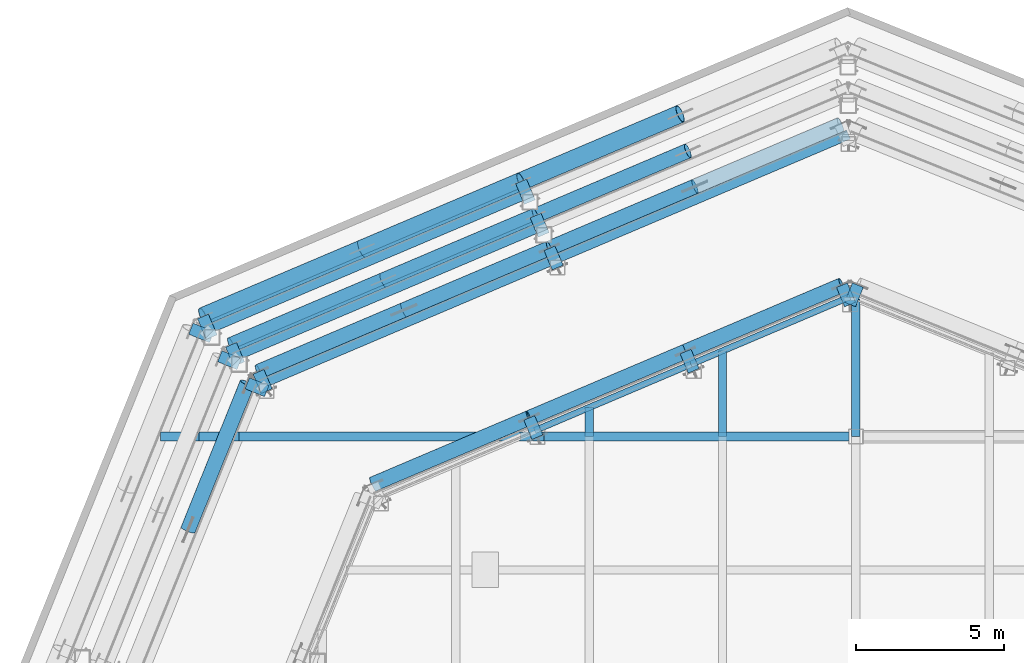
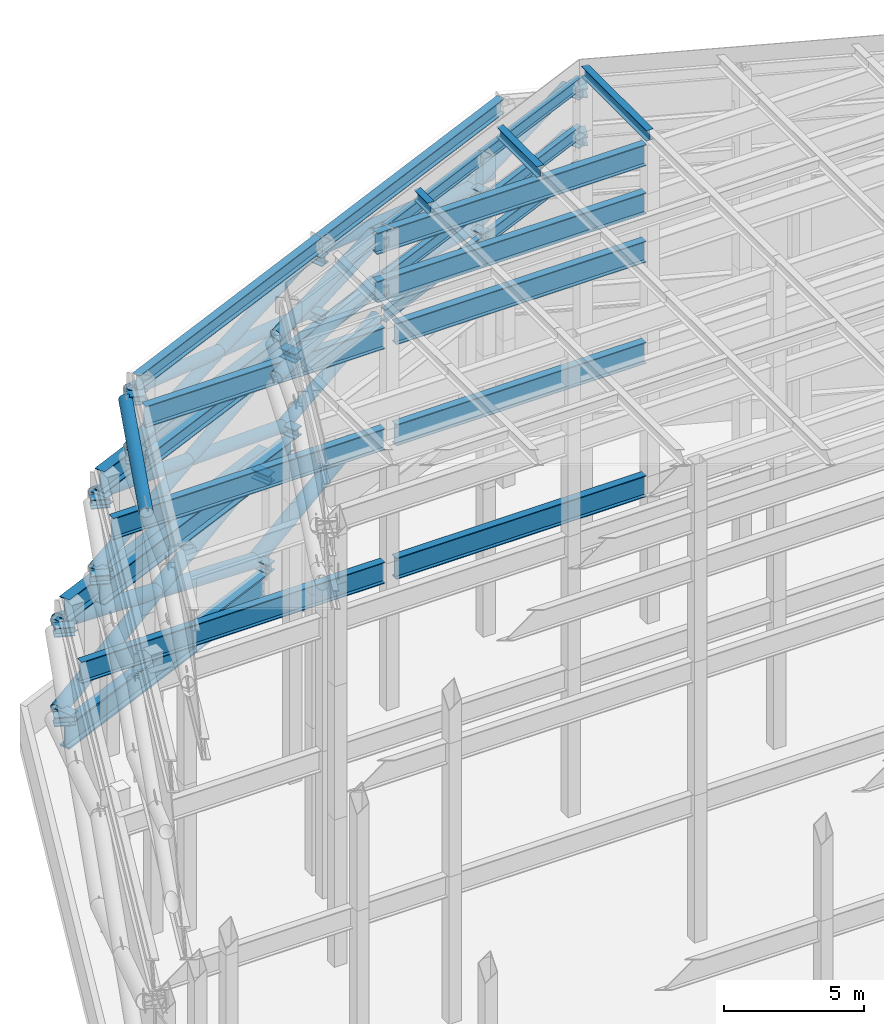
# One storey, part 10 of 19: 46 members, 25 beams.
"""IFC4 building model written with IfcOpenShell, lengths in metres."""

from ifc_helpers import new_model, si_unit, direction, frame, origin, origin_2d, place, context, subcontext, project, spatial, hollow_circle, i_section, extrude, material, material_profile, profile_set, type_object, element, save


model = new_model("IFC4")

# Units and contexts
model_context = context("Model", 3, precision=1e-05, world=origin(), true_north=direction((0.0, 1.0)))
body_context = subcontext(model_context, "Body", "Model", "MODEL_VIEW")
ifc_project = project(units=[si_unit("LENGTHUNIT", "METRE"), si_unit("AREAUNIT", "SQUARE_METRE"), si_unit("VOLUMEUNIT", "CUBIC_METRE"), si_unit("PLANEANGLEUNIT", "RADIAN"), si_unit("MASSUNIT", "GRAM", prefix="KILO")], contexts=[model_context])

# Site, building, storey
site_placement = place(None, origin())
site = spatial("IfcSite", under=ifc_project, at=site_placement, CompositionType="ELEMENT")
building_placement = place(site_placement, origin())
building = spatial("IfcBuilding", under=site, at=building_placement, Name="Orlundy Tower", CompositionType="ELEMENT")
storey_placement = place(building_placement, frame((0.0, 0.0, 304.300048828125)))
storey = spatial("IfcBuildingStorey", under=building, at=storey_placement, Name="Roof", CompositionType="ELEMENT", Elevation=304.300048828125)

# Beams
ifc_material_1 = material(Name="Steel ASTM A992 Gr 50", Category="steel")
ifc_material_profile_1 = material_profile(ifc_material_1, i_section(OverallWidth=0.2802734375, OverallDepth=0.46240234375, WebThickness=0.0107421875, FlangeThickness=0.017333984375, at=origin_2d()), Name="W18X76")
ifc_profile_set_1 = profile_set([ifc_material_profile_1], Name="Steel ASTM A992 Gr 50")
beam_type_1 = type_object("IfcBeamType", Name="CROWN FRAME beam W18X76", PredefinedType="BEAM", material=ifc_profile_set_1)
beam_1_placement = place(storey_placement, frame((-9.0, 18.0, 21.131103515625), z_axis=(0.0, 1.0, 0.0), x_axis=(-1.0, 0.0, 0.0)))
element("IfcBeam", 1, at=beam_1_placement, inside=storey, type_object=beam_type_1, Name="CROWN FRAME secondary beam 04F", PredefinedType="BEAM", context=body_context, shape_type="SweptSolid", body=[
    extrude(i_section(OverallWidth=0.2802734375, OverallDepth=0.46240234375, WebThickness=0.0107421875, FlangeThickness=0.017333984375, at=origin_2d()), origin(), (0.0, 0.0, 1.0), 0.97900390625),
])
beam_2_placement = place(storey_placement, frame((-4.5, 18.0, 21.131103515625), z_axis=(0.0, 1.0, 0.0), x_axis=(-1.0, 0.0, 0.0)))
element("IfcBeam", 2, at=beam_2_placement, inside=storey, type_object=beam_type_1, Name="CROWN FRAME secondary beam 05F", PredefinedType="BEAM", context=body_context, shape_type="SweptSolid", body=[
    extrude(i_section(OverallWidth=0.2802734375, OverallDepth=0.46240234375, WebThickness=0.0107421875, FlangeThickness=0.017333984375, at=origin_2d()), origin(), (0.0, 0.0, 1.0), 2.889404296875),
])
beam_3_placement = place(storey_placement, frame((0.0, 18.0, 21.131103515625), z_axis=(0.0, 1.0, 0.0), x_axis=(-1.0, 0.0, 0.0)))
element("IfcBeam", 3, at=beam_3_placement, inside=storey, type_object=beam_type_1, Name="CROWN FRAME secondary beam 06F", PredefinedType="BEAM", context=body_context, shape_type="SweptSolid", body=[
    extrude(i_section(OverallWidth=0.2802734375, OverallDepth=0.46240234375, WebThickness=0.0107421875, FlangeThickness=0.017333984375, at=origin_2d()), origin(), (0.0, 0.0, 1.0), 4.635009765625),
])
ifc_material_2 = material(Name="Steel ASTM A992 Gr 50", Category="steel")
ifc_material_profile_2 = material_profile(ifc_material_2, i_section(OverallWidth=0.2138671875, OverallDepth=0.549072265625, WebThickness=0.0146484375, FlangeThickness=0.023681640625, at=origin_2d()), Name="W21X93")
ifc_profile_set_2 = profile_set([ifc_material_profile_2], Name="Steel ASTM A992 Gr 50")
beam_type_2 = type_object("IfcBeamType", Name="CROWN FRAME beam W21X93", PredefinedType="BEAM", material=ifc_profile_set_2)
beam_4_placement = place(storey_placement, frame((-0.198486328125, 22.715087890625, 16.974365234375), z_axis=(-0.920508748756, -0.390721951602, 0.0), x_axis=(0.390721951602, -0.920508748756, 0.0)))
element("IfcBeam", 4, at=beam_4_placement, inside=storey, type_object=beam_type_2, Name="CROWN FRAME foot ring beam 4-04", PredefinedType="BEAM", context=body_context, shape_type="SweptSolid", body=[
    extrude(i_section(OverallWidth=0.2138671875, OverallDepth=0.549072265625, WebThickness=0.0146484375, FlangeThickness=0.023681640625, at=origin_2d()), origin(), (0.0, 0.0, 1.0), 5.82861328125),
])
beam_5_placement = place(storey_placement, frame((-5.563720703125, 20.437744140625, 16.974365234375), z_axis=(-0.920499581139, -0.390743549049, 0.0), x_axis=(0.390743549049, -0.920499581139, 0.0)))
element("IfcBeam", 5, at=beam_5_placement, inside=storey, type_object=beam_type_2, Name="CROWN FRAME foot ring beam 4-05", PredefinedType="BEAM", context=body_context, shape_type="SweptSolid", body=[
    extrude(i_section(OverallWidth=0.2138671875, OverallDepth=0.549072265625, WebThickness=0.0146484375, FlangeThickness=0.023681640625, at=origin_2d()), origin(), (0.0, 0.0, 1.0), 5.72900390625),
])
beam_6_placement = place(storey_placement, frame((-0.198486328125, 22.715087890625, 18.525390625), z_axis=(-0.920508748756, -0.390721951602, 0.0), x_axis=(0.390721951602, -0.920508748756, 0.0)))
element("IfcBeam", 6, at=beam_6_placement, inside=storey, type_object=beam_type_2, Name="CROWN FRAME head ring beam 4-04", PredefinedType="BEAM", context=body_context, shape_type="SweptSolid", body=[
    extrude(i_section(OverallWidth=0.2138671875, OverallDepth=0.549072265625, WebThickness=0.0146484375, FlangeThickness=0.023681640625, at=origin_2d()), origin(), (0.0, 0.0, 1.0), 5.82861328125),
])
beam_7_placement = place(storey_placement, frame((-5.563720703125, 20.437744140625, 18.525390625), z_axis=(-0.920499581139, -0.390743549049, 0.0), x_axis=(0.390743549049, -0.920499581139, 0.0)))
element("IfcBeam", 7, at=beam_7_placement, inside=storey, type_object=beam_type_2, Name="CROWN FRAME head ring beam 4-05", PredefinedType="BEAM", context=body_context, shape_type="SweptSolid", body=[
    extrude(i_section(OverallWidth=0.2138671875, OverallDepth=0.549072265625, WebThickness=0.0146484375, FlangeThickness=0.023681640625, at=origin_2d()), origin(), (0.0, 0.0, 1.0), 5.72900390625),
])
beam_8_placement = place(storey_placement, frame((-0.198486328125, 22.715087890625, 20.62548828125), z_axis=(-0.920508748756, -0.390721951602, 0.0), x_axis=(0.390721951602, -0.920508748756, 0.0)))
element("IfcBeam", 8, at=beam_8_placement, inside=storey, type_object=beam_type_2, Name="CROWN FRAME head ring beam 5-04", PredefinedType="BEAM", context=body_context, shape_type="SweptSolid", body=[
    extrude(i_section(OverallWidth=0.2138671875, OverallDepth=0.549072265625, WebThickness=0.0146484375, FlangeThickness=0.023681640625, at=origin_2d()), origin(), (0.0, 0.0, 1.0), 5.82861328125),
])
beam_9_placement = place(storey_placement, frame((-5.563720703125, 20.437744140625, 20.62548828125), z_axis=(-0.920499581139, -0.390743549049, 0.0), x_axis=(0.390743549049, -0.920499581139, 0.0)))
element("IfcBeam", 9, at=beam_9_placement, inside=storey, type_object=beam_type_2, Name="CROWN FRAME head ring beam 5-05", PredefinedType="BEAM", context=body_context, shape_type="SweptSolid", body=[
    extrude(i_section(OverallWidth=0.2138671875, OverallDepth=0.549072265625, WebThickness=0.0146484375, FlangeThickness=0.023681640625, at=origin_2d()), origin(), (0.0, 0.0, 1.0), 5.72900390625),
])
ifc_material_3 = material(Name="Steel ASTM A992 Gr 50", Category="steel")
ifc_material_profile_3 = material_profile(ifc_material_3, i_section(OverallWidth=0.3291015625, OverallDepth=0.635009765625, WebThickness=0.017822265625, FlangeThickness=0.031005859375, at=origin_2d()), Name="W24X162")
ifc_profile_set_3 = profile_set([ifc_material_profile_3], Name="Steel ASTM A992 Gr 50")
beam_type_3 = type_object("IfcBeamType", Name="CROWN FRAME beam W24X162", PredefinedType="BEAM", material=ifc_profile_set_3)
for number, where, z_axis, x_axis, name in (
    (10, (-0.24609375, 28.189208984375, 12.617431640625), (-0.920509030245, -0.390721288437, 0.0), (0.390721288437, -0.920509030245, 0.0), "CROWN FRAME foot ring beam 3-03"),
    (11, (-10.176513671875, 23.97412109375, 12.617431640625), (-0.920500890656, -0.39074046412, 0.0), (0.39074046412, -0.920500890656, 0.0), "CROWN FRAME foot ring beam 3-04"),
    (12, (-0.24609375, 28.189208984375, 16.382568359375), (-0.920509030245, -0.390721288437, 0.0), (0.390721288437, -0.920509030245, 0.0), "CROWN FRAME head ring beam 3-03"),
    (13, (-10.176513671875, 23.97412109375, 16.382568359375), (-0.920500890656, -0.39074046412, 0.0), (0.39074046412, -0.920500890656, 0.0), "CROWN FRAME head ring beam 3-04"),
):
    element("IfcBeam", number, at=place(storey_placement, frame(where, z_axis=z_axis, x_axis=x_axis)), inside=storey, type_object=beam_type_3, Name=name, PredefinedType="BEAM", context=body_context, shape_type="SweptSolid", body=[
        extrude(i_section(OverallWidth=0.3291015625, OverallDepth=0.635009765625, WebThickness=0.017822265625, FlangeThickness=0.031005859375, at=origin_2d()), origin(), (0.0, 0.0, 1.0), 10.7880859375),
    ])
ifc_material_4 = material(Name="Steel ASTM A992 Gr 50", Category="steel")
ifc_material_profile_4 = material_profile(ifc_material_4, i_section(OverallWidth=0.3076171875, OverallDepth=0.9267578125, WebThickness=0.01953125, FlangeThickness=0.031982421875, at=origin_2d()), Name="W36X194")
ifc_profile_set_4 = profile_set([ifc_material_profile_4], Name="Steel ASTM A992 Gr 50")
beam_type_4 = type_object("IfcBeamType", Name="CROWN FRAME beam W36X194", PredefinedType="BEAM", material=ifc_profile_set_4)
beam_10_placement = place(storey_placement, frame((-23.45654296875, 18.0, 6.03662109375), z_axis=(1.0, 0.0, 0.0), x_axis=(0.0, 1.0, 0.0)))
element("IfcBeam", 14, at=beam_10_placement, inside=storey, type_object=beam_type_4, Name="CROWN FRAME primary beam 5A frame 1", PredefinedType="BEAM", context=body_context, shape_type="SweptSolid", body=[
    extrude(i_section(OverallWidth=0.3076171875, OverallDepth=0.9267578125, WebThickness=0.01953125, FlangeThickness=0.031982421875, at=origin_2d()), origin(), (0.0, 0.0, 1.0), 12.485107421875),
])
beam_11_placement = place(storey_placement, frame((-10.514404296875, 18.0, 6.03662109375), z_axis=(1.0, 0.0, 0.0), x_axis=(0.0, 1.0, 0.0)))
element("IfcBeam", 15, at=beam_11_placement, inside=storey, type_object=beam_type_4, Name="CROWN FRAME primary beam 5B frame 1", PredefinedType="BEAM", context=body_context, shape_type="SweptSolid", body=[
    extrude(i_section(OverallWidth=0.3076171875, OverallDepth=0.9267578125, WebThickness=0.01953125, FlangeThickness=0.031982421875, at=origin_2d()), origin(), (0.0, 0.0, 1.0), 10.285888671875),
])
beam_12_placement = place(storey_placement, frame((-22.162353515625, 18.0, 11.836669921875), z_axis=(1.0, 0.0, 0.0), x_axis=(0.0, 1.0, 0.0)))
element("IfcBeam", 16, at=beam_12_placement, inside=storey, type_object=beam_type_4, Name="CROWN FRAME primary beam 5A frame 2", PredefinedType="BEAM", context=body_context, shape_type="SweptSolid", body=[
    extrude(i_section(OverallWidth=0.3076171875, OverallDepth=0.9267578125, WebThickness=0.01953125, FlangeThickness=0.031982421875, at=origin_2d()), origin(), (0.0, 0.0, 1.0), 11.19091796875),
])
beam_13_placement = place(storey_placement, frame((-10.514404296875, 18.0, 11.836669921875), z_axis=(1.0, 0.0, 0.0), x_axis=(0.0, 1.0, 0.0)))
element("IfcBeam", 17, at=beam_13_placement, inside=storey, type_object=beam_type_4, Name="CROWN FRAME primary beam 5B frame 2", PredefinedType="BEAM", context=body_context, shape_type="SweptSolid", body=[
    extrude(i_section(OverallWidth=0.3076171875, OverallDepth=0.9267578125, WebThickness=0.01953125, FlangeThickness=0.031982421875, at=origin_2d()), origin(), (0.0, 0.0, 1.0), 10.285888671875),
])
beam_14_placement = place(storey_placement, frame((-20.8173828125, 18.0, 16.236572265625), z_axis=(1.0, 0.0, 0.0), x_axis=(0.0, 1.0, 0.0)))
element("IfcBeam", 18, at=beam_14_placement, inside=storey, type_object=beam_type_4, Name="CROWN FRAME primary beam 5A frame 3", PredefinedType="BEAM", context=body_context, shape_type="SweptSolid", body=[
    extrude(i_section(OverallWidth=0.3076171875, OverallDepth=0.9267578125, WebThickness=0.01953125, FlangeThickness=0.031982421875, at=origin_2d()), origin(), (0.0, 0.0, 1.0), 9.845947265625),
])
beam_15_placement = place(storey_placement, frame((-10.514404296875, 18.0, 16.236572265625), z_axis=(1.0, 0.0, 0.0), x_axis=(0.0, 1.0, 0.0)))
element("IfcBeam", 19, at=beam_15_placement, inside=storey, type_object=beam_type_4, Name="CROWN FRAME primary beam 5B frame 3", PredefinedType="BEAM", context=body_context, shape_type="SweptSolid", body=[
    extrude(i_section(OverallWidth=0.3076171875, OverallDepth=0.9267578125, WebThickness=0.01953125, FlangeThickness=0.031982421875, at=origin_2d()), origin(), (0.0, 0.0, 1.0), 10.285888671875),
])
for number, where, z_axis, x_axis, name in (
    (20, (-11.306640625, 18.0, 18.336669921875), (1.0, 0.0, 0.0), (0.0, 1.0, 0.0), "CROWN FRAME primary beam 5A frame 4"),
    (21, (-11.306640625, 18.0, 20.4365234375), (1.0, 0.0, 0.0), (0.0, 1.0, 0.0), "CROWN FRAME primary beam 5A frame 5"),
):
    element("IfcBeam", number, at=place(storey_placement, frame(where, z_axis=z_axis, x_axis=x_axis)), inside=storey, type_object=beam_type_4, Name=name, PredefinedType="BEAM", context=body_context, shape_type="SweptSolid", body=[
        extrude(i_section(OverallWidth=0.3076171875, OverallDepth=0.9267578125, WebThickness=0.01953125, FlangeThickness=0.031982421875, at=origin_2d()), origin(), (0.0, 0.0, 1.0), 11.078125),
    ])
ifc_material_5 = material(Name="Steel ASTM A992 Gr 50", Category="steel")
ifc_material_profile_5 = material_profile(ifc_material_5, i_section(OverallWidth=0.423095703125, OverallDepth=0.947265625, WebThickness=0.02392578125, FlangeThickness=0.042724609375, at=origin_2d()), Name="W36X302")
ifc_profile_set_5 = profile_set([ifc_material_profile_5], Name="Steel ASTM A992 Gr 50")
beam_type_5 = type_object("IfcBeamType", Name="CROWN FRAME beam W36X302", PredefinedType="BEAM", material=ifc_profile_set_5)
beam_16_placement = place(storey_placement, frame((-11.1328125, 26.2265625, 6.0263671875), z_axis=(-0.920500622845, -0.390741095026, 0.0), x_axis=(0.390741095026, -0.920500622845, 0.0)))
element("IfcBeam", 22, at=beam_16_placement, inside=storey, type_object=beam_type_5, Name="CROWN FRAME head ring beam 1-04", PredefinedType="BEAM", context=body_context, shape_type="SweptSolid", body=[
    extrude(i_section(OverallWidth=0.423095703125, OverallDepth=0.947265625, WebThickness=0.02392578125, FlangeThickness=0.042724609375, at=origin_2d()), origin(), (0.0, 0.0, 1.0), 11.801513671875),
])
for number, where, z_axis, x_axis, name in (
    (23, (-10.663818359375, 25.121826171875, 6.9736328125), (-0.920504586369, -0.390731757698, 0.0), (0.390731757698, -0.920504586369, 0.0), "CROWN FRAME foot ring beam 2-04"),
    (24, (-10.663818359375, 25.121826171875, 11.826416015625), (-0.920504586369, -0.390731757698, 0.0), (0.390731757698, -0.920504586369, 0.0), "CROWN FRAME head ring beam 2-04"),
):
    element("IfcBeam", number, at=place(storey_placement, frame(where, z_axis=z_axis, x_axis=x_axis)), inside=storey, type_object=beam_type_5, Name=name, PredefinedType="BEAM", context=body_context, shape_type="SweptSolid", body=[
        extrude(i_section(OverallWidth=0.423095703125, OverallDepth=0.947265625, WebThickness=0.02392578125, FlangeThickness=0.042724609375, at=origin_2d()), origin(), (0.0, 0.0, 1.0), 11.304443359375),
    ])
ifc_material_6 = material(Name="Steel ASTM A992 Gr 50", Category="steel")
ifc_material_profile_6 = material_profile(ifc_material_6, i_section(OverallWidth=0.41650390625, OverallDepth=1.068115234375, WebThickness=0.0390625, FlangeThickness=0.070068359375, at=origin_2d()), Name="W40X503")
ifc_profile_set_6 = profile_set([ifc_material_profile_6], Name="Steel ASTM A992 Gr 50")
beam_type_6 = type_object("IfcBeamType", Name="CROWN FRAME beam W40X503", PredefinedType="BEAM", material=ifc_profile_set_6)
beam_17_placement = place(storey_placement, frame((-11.13134765625, 26.2236328125, 0.533935546875), z_axis=(-0.920502870511, -0.390735799974, 0.0), x_axis=(0.390735799974, -0.920502870511, 0.0)))
element("IfcBeam", 25, at=beam_17_placement, inside=storey, type_object=beam_type_6, Name="CROWN FRAME foot ring beam 1-04", PredefinedType="BEAM", context=body_context, shape_type="SweptSolid", body=[
    extrude(i_section(OverallWidth=0.41650390625, OverallDepth=1.068115234375, WebThickness=0.0390625, FlangeThickness=0.070068359375, at=origin_2d()), origin(), (0.0, 0.0, 1.0), 11.80029296875),
])

# Members
ifc_material_7 = material(Name="Steel ASTM A500 Gr C", Category="steel")
ifc_material_profile_7 = material_profile(ifc_material_7, hollow_circle(Radius=0.25390625, WallThickness=0.01171875, at=origin_2d()), Name="HSS20.000X0.500")
ifc_profile_set_7 = profile_set([ifc_material_profile_7], Name="Steel ASTM A500 Gr C")
member_type_1 = type_object("IfcMemberType", Name="CROWN FRAME diagonal HSS20.000X0.500", PredefinedType="BRACE", material=ifc_profile_set_7)
member_1_placement = place(storey_placement, frame((-10.805419921875, 25.45556640625, 7.7470703125), z_axis=(0.882598800311, 0.374667196634, 0.283978607391), x_axis=(-0.390754310832, 0.920495012787, 0.0)))
element("IfcMember", 26, at=member_1_placement, inside=storey, type_object=member_type_1, Name="CROWN FRAME brace 2-03ba", PredefinedType="BRACE", context=body_context, shape_type="SweptSolid", body=[
    extrude(hollow_circle(Radius=0.25390625, WallThickness=0.01171875, at=origin_2d()), origin(), (0.0, 0.0, 1.0), 5.8203125),
])
member_2_placement = place(storey_placement, frame((-10.805419921875, 25.45556640625, 7.7470703125), z_axis=(-0.882610370828, -0.374642232115, 0.283975582088), x_axis=(0.390727909284, -0.920506219917, 0.0)))
element("IfcMember", 27, at=member_2_placement, inside=storey, type_object=member_type_1, Name="CROWN FRAME brace 2-04a", PredefinedType="BRACE", context=body_context, shape_type="SweptSolid", body=[
    extrude(hollow_circle(Radius=0.25390625, WallThickness=0.01171875, at=origin_2d()), origin(), (0.0, 0.0, 1.0), 11.640625),
])
for number, where, z_axis, x_axis, name in (
    (28, (-21.07958984375, 21.094482421875, 7.7470703125), (0.882621940422, 0.374617267841, 0.283972556632), (-0.390701508026, 0.920517426031, 0.0), "CROWN FRAME brace 2-04ba"),
    (29, (-15.9423828125, 23.27490234375, 9.39990234375), (0.882598800311, 0.374667196634, 0.283978607391), (-0.390754310832, 0.920495012787, 0.0), "CROWN FRAME brace 2-04bb"),
):
    element("IfcMember", number, at=place(storey_placement, frame(where, z_axis=z_axis, x_axis=x_axis)), inside=storey, type_object=member_type_1, Name=name, PredefinedType="BRACE", context=body_context, shape_type="SweptSolid", body=[
        extrude(hollow_circle(Radius=0.25390625, WallThickness=0.01171875, at=origin_2d()), origin(), (0.0, 0.0, 1.0), 5.8203125),
    ])
member_3_placement = place(storey_placement, frame((-0.52001953125, 28.517822265625, 13.23486328125), z_axis=(-0.895646062431, -0.380172884687, 0.230839140096), x_axis=(0.390725630766, -0.920507187078, 0.0)))
element("IfcMember", 30, at=member_3_placement, inside=storey, type_object=member_type_1, Name="CROWN FRAME brace 3-03a", PredefinedType="BRACE", context=body_context, shape_type="SweptSolid", body=[
    extrude(hollow_circle(Radius=0.25390625, WallThickness=0.01171875, at=origin_2d()), origin(), (0.0, 0.0, 1.0), 10.960205078125),
])
member_4_placement = place(storey_placement, frame((-10.33642578125, 24.35107421875, 13.23486328125), z_axis=(0.895633872055, 0.380189985283, 0.230858273229), x_axis=(-0.390745029048, 0.920498952892, 0.0)))
element("IfcMember", 31, at=member_4_placement, inside=storey, type_object=member_type_1, Name="CROWN FRAME brace 3-03ba", PredefinedType="BRACE", context=body_context, shape_type="SweptSolid", body=[
    extrude(hollow_circle(Radius=0.25390625, WallThickness=0.01171875, at=origin_2d()), origin(), (0.0, 0.0, 1.0), 5.480224609375),
])
member_5_placement = place(storey_placement, frame((-10.33642578125, 24.35107421875, 13.23486328125), z_axis=(-0.895642884147, -0.380184355408, 0.23083257998), x_axis=(0.390736794889, -0.920502448188, 0.0)))
element("IfcMember", 32, at=member_5_placement, inside=storey, type_object=member_type_1, Name="CROWN FRAME brace 3-04a", PredefinedType="BRACE", context=body_context, shape_type="SweptSolid", body=[
    extrude(hollow_circle(Radius=0.25390625, WallThickness=0.01171875, at=origin_2d()), origin(), (0.0, 0.0, 1.0), 10.96044921875),
])
for number, where, z_axis, x_axis, name in (
    (33, (-20.153076171875, 20.18408203125, 13.23486328125), (0.895633872055, 0.380189985283, 0.230858273229), (-0.390745029048, 0.920498952892, 0.0), "CROWN FRAME brace 3-04ba"),
    (34, (-15.244873046875, 22.267578125, 14.5), (0.895651895279, 0.380178725407, 0.230806887314), (-0.390728561045, 0.920505943264, 0.0), "CROWN FRAME brace 3-04bb"),
    (35, (-22.5302734375, 14.853515625, 14.5), (0.364456074083, 0.902163544342, 0.230808815527), (-0.92719872433, 0.374569787356, 0.0), "CROWN FRAME brace 3-05bb"),
):
    element("IfcMember", number, at=place(storey_placement, frame(where, z_axis=z_axis, x_axis=x_axis)), inside=storey, type_object=member_type_1, Name=name, PredefinedType="BRACE", context=body_context, shape_type="SweptSolid", body=[
        extrude(hollow_circle(Radius=0.25390625, WallThickness=0.01171875, at=origin_2d()), origin(), (0.0, 0.0, 1.0), 5.480224609375),
    ])
for number, where, z_axis, x_axis, name in (
    (36, (-5.74609375, 20.86767578125, 17.299072265625), (0.909301454544, 0.385990047996, 0.155507387643), (-0.390743549049, 0.920499581139, 0.0), "CROWN FRAME brace 4-04b"),
    (37, (-5.74609375, 20.86767578125, 17.299072265625), (-0.909301454544, -0.385990047996, 0.155507387643), (0.390743549049, -0.920499581139, 0.0), "CROWN FRAME brace 4-05a"),
    (38, (-16.29296875, 16.390869140625, 17.299072265625), (0.909316229461, 0.385954221838, 0.155509914427), (-0.390707439016, 0.920514908677, 0.0), "CROWN FRAME brace 4-06b"),
):
    element("IfcMember", number, at=place(storey_placement, frame(where, z_axis=z_axis, x_axis=x_axis)), inside=storey, type_object=member_type_1, Name=name, PredefinedType="BRACE", context=body_context, shape_type="SweptSolid", body=[
        extrude(hollow_circle(Radius=0.25390625, WallThickness=0.01171875, at=origin_2d()), origin(), (0.0, 0.0, 1.0), 5.79931640625),
    ])
for number, where, z_axis, x_axis, name in (
    (39, (-5.74609375, 20.86767578125, 19.099853515625), (0.900917712693, 0.382431227207, 0.205167325404), (-0.390743549049, 0.920499581139, 0.0), "CROWN FRAME brace 5-04b"),
    (40, (-5.74609375, 20.86767578125, 19.099853515625), (-0.900917712693, -0.382431227207, 0.205167325404), (0.390743549049, -0.920499581139, 0.0), "CROWN FRAME brace 5-05a"),
):
    element("IfcMember", number, at=place(storey_placement, frame(where, z_axis=z_axis, x_axis=x_axis)), inside=storey, type_object=member_type_1, Name=name, PredefinedType="BRACE", context=body_context, shape_type="SweptSolid", body=[
        extrude(hollow_circle(Radius=0.25390625, WallThickness=0.01171875, at=origin_2d()), origin(), (0.0, 0.0, 1.0), 5.853515625),
    ])
member_6_placement = place(storey_placement, frame((-16.29296875, 16.390869140625, 19.099853515625), z_axis=(0.900932082685, 0.382395617318, 0.205170597904), x_axis=(-0.390707439016, 0.920514908677, 0.0)))
element("IfcMember", 41, at=member_6_placement, inside=storey, type_object=member_type_1, Name="CROWN FRAME brace 5-06b", PredefinedType="BRACE", context=body_context, shape_type="SweptSolid", body=[
    extrude(hollow_circle(Radius=0.25390625, WallThickness=0.01171875, at=origin_2d()), origin(), (0.0, 0.0, 1.0), 5.853271484375),
])
ifc_material_8 = material(Name="Steel ASTM A1085 Gr A", Category="steel")
ifc_material_profile_8 = material_profile(ifc_material_8, hollow_circle(Radius=0.3046875, WallThickness=0.023681640625, at=origin_2d()), Name="HSS24.000X1.000")
ifc_profile_set_8 = profile_set([ifc_material_profile_8], Name="Steel ASTM A1085 Gr A")
member_type_2 = type_object("IfcMemberType", Name="CROWN FRAME diagonal HSS24.000X1.000", PredefinedType="BRACE", material=ifc_profile_set_8)
member_7_placement = place(storey_placement, frame((-11.294189453125, 26.60693359375, 1.3681640625), z_axis=(0.873318723065, 0.37068066643, 0.316085829291), x_axis=(-0.390712249629, 0.920512866825, 0.0)))
element("IfcMember", 42, at=member_7_placement, inside=storey, type_object=member_type_2, Name="CROWN FRAME brace 1-03ba", PredefinedType="BRACE", context=body_context, shape_type="SweptSolid", body=[
    extrude(hollow_circle(Radius=0.3046875, WallThickness=0.023681640625, at=origin_2d()), origin(), (0.0, 0.0, 1.0), 6.144287109375),
])
member_8_placement = place(storey_placement, frame((-11.294189453125, 26.60693359375, 1.3681640625), z_axis=(-0.873302092117, -0.370701907246, 0.316106867795), x_axis=(0.390737525222, -0.920502138174, 0.0)))
element("IfcMember", 43, at=member_8_placement, inside=storey, type_object=member_type_2, Name="CROWN FRAME brace 1-04a", PredefinedType="BRACE", context=body_context, shape_type="SweptSolid", body=[
    extrude(hollow_circle(Radius=0.3046875, WallThickness=0.023681640625, at=origin_2d()), origin(), (0.0, 0.0, 1.0), 12.28857421875),
])
member_9_placement = place(storey_placement, frame((-22.02587890625, 22.051513671875, 1.3681640625), z_axis=(0.8733058598, 0.370714940258, 0.316081173607), x_axis=(-0.39074773677, 0.920497803479, 0.0)))
element("IfcMember", 44, at=member_9_placement, inside=storey, type_object=member_type_2, Name="CROWN FRAME brace 1-04ba", PredefinedType="BRACE", context=body_context, shape_type="SweptSolid", body=[
    extrude(hollow_circle(Radius=0.3046875, WallThickness=0.023681640625, at=origin_2d()), origin(), (0.0, 0.0, 1.0), 6.14453125),
])
member_10_placement = place(storey_placement, frame((-16.659912109375, 24.329345703125, 3.310302734375), z_axis=(0.873298323559, 0.370688873441, 0.316132562664), x_axis=(-0.390727313066, 0.920506472994, 0.0)))
element("IfcMember", 45, at=member_10_placement, inside=storey, type_object=member_type_2, Name="CROWN FRAME brace 1-04bb", PredefinedType="BRACE", context=body_context, shape_type="SweptSolid", body=[
    extrude(hollow_circle(Radius=0.3046875, WallThickness=0.023681640625, at=origin_2d()), origin(), (0.0, 0.0, 1.0), 6.144287109375),
])
ifc_material_9 = material(Name="Steel ASTM A992 Gr 50", Category="steel")
ifc_material_profile_9 = material_profile(ifc_material_9, i_section(OverallWidth=0.39892578125, OverallDepth=0.393310546875, WebThickness=0.022705078125, FlangeThickness=0.03662109375, at=origin_2d()), Name="W14X193")
ifc_profile_set_9 = profile_set([ifc_material_profile_9], Name="Steel ASTM A992 Gr 50")
member_type_3 = type_object("IfcMemberType", Name="CROWN FRAME strut W14X193", PredefinedType="STRUT", material=ifc_profile_set_9)
for number, where, z_axis, x_axis, name in (
    (46, (-10.997802734375, 25.908447265625, 5.252685546875), (-0.390615950511, 0.9205537351, 0.0), (-0.9205537351, -0.390615950511, 0.0), "CROWN FRAME brace connector 1-03A1"),
    (47, (-10.997802734375, 25.908447265625, 1.3681640625), (-0.390615950511, 0.9205537351, 0.0), (-0.9205537351, -0.390615950511, 0.0), "CROWN FRAME brace connector 1-03B0"),
    (48, (-21.729248046875, 21.35302734375, 5.252685546875), (-0.390888564217, 0.920438010061, 0.0), (-0.920438010061, -0.390888564217, 0.0), "CROWN FRAME brace connector 1-04A1"),
    (49, (-21.729248046875, 21.35302734375, 1.3681640625), (-0.390888564217, 0.920438010061, 0.0), (-0.920438010061, -0.390888564217, 0.0), "CROWN FRAME brace connector 1-04B0"),
    (50, (-21.729248046875, 21.35302734375, 1.3681640625), (-0.927228946856, 0.374494966738, 0.0), (-0.374494966738, -0.927228946856, 0.0), "CROWN FRAME brace connector 1-05A0"),
    (51, (-21.729248046875, 21.35302734375, 5.252685546875), (-0.927228946856, 0.374494966738, 0.0), (-0.374494966738, -0.927228946856, 0.0), "CROWN FRAME brace connector 1-05B1"),
):
    element("IfcMember", number, at=place(storey_placement, frame(where, z_axis=z_axis, x_axis=x_axis)), inside=storey, type_object=member_type_3, Name=name, PredefinedType="STRUT", context=body_context, shape_type="SweptSolid", body=[
        extrude(i_section(OverallWidth=0.39892578125, OverallDepth=0.393310546875, WebThickness=0.022705078125, FlangeThickness=0.03662109375, at=origin_2d()), origin(), (0.0, 0.0, 1.0), 0.7587890625),
    ])
for number, where, z_axis, x_axis, name in (
    (52, (-10.52880859375, 24.803955078125, 11.052734375), (-0.390753546975, 0.920495337048, 0.0), (-0.920495337048, -0.390753546975, 0.0), "CROWN FRAME brace connector 2-03A1"),
    (53, (-10.52880859375, 24.803955078125, 7.7470703125), (-0.390753546975, 0.920495337048, 0.0), (-0.920495337048, -0.390753546975, 0.0), "CROWN FRAME brace connector 2-03B0"),
    (54, (-20.802978515625, 20.442626953125, 11.052734375), (-0.390629532578, 0.920547971742, 0.0), (-0.920547971742, -0.390629532578, 0.0), "CROWN FRAME brace connector 2-04A1"),
    (55, (-20.802978515625, 20.442626953125, 7.7470703125), (-0.390629532578, 0.920547971742, 0.0), (-0.920547971742, -0.390629532578, 0.0), "CROWN FRAME brace connector 2-04B0"),
):
    element("IfcMember", number, at=place(storey_placement, frame(where, z_axis=z_axis, x_axis=x_axis)), inside=storey, type_object=member_type_3, Name=name, PredefinedType="STRUT", context=body_context, shape_type="SweptSolid", body=[
        extrude(i_section(OverallWidth=0.39892578125, OverallDepth=0.393310546875, WebThickness=0.022705078125, FlangeThickness=0.03662109375, at=origin_2d()), origin(), (0.0, 0.0, 1.0), 0.7080078125),
    ])
for number, where, z_axis, x_axis, name in (
    (56, (-20.802978515625, 20.442626953125, 7.7470703125), (-0.927066713294, 0.374896397824, 0.0), (-0.374896397824, -0.927066713294, 0.0), "CROWN FRAME brace connector 2-05A0"),
    (57, (-20.802978515625, 20.442626953125, 11.052734375), (-0.927066713294, 0.374896397824, 0.0), (-0.374896397824, -0.927066713294, 0.0), "CROWN FRAME brace connector 2-05B1"),
):
    element("IfcMember", number, at=place(storey_placement, frame(where, z_axis=z_axis, x_axis=x_axis)), inside=storey, type_object=member_type_3, Name=name, PredefinedType="STRUT", context=body_context, shape_type="SweptSolid", body=[
        extrude(i_section(OverallWidth=0.39892578125, OverallDepth=0.393310546875, WebThickness=0.022705078125, FlangeThickness=0.03662109375, at=origin_2d()), origin(), (0.0, 0.0, 1.0), 0.707763671875),
    ])
for number, where, z_axis, x_axis, name in (
    (58, (-10.059814453125, 23.69921875, 15.764892578125), (-0.390629532578, 0.920547971742, 0.0), (-0.920547971742, -0.390629532578, 0.0), "CROWN FRAME brace connector 3-03A1"),
    (59, (-10.059814453125, 23.69921875, 13.23486328125), (-0.390629532578, 0.920547971742, 0.0), (-0.920547971742, -0.390629532578, 0.0), "CROWN FRAME brace connector 3-03B0"),
    (60, (-19.87646484375, 19.5322265625, 15.764892578125), (-0.390629532578, 0.920547971742, 0.0), (-0.920547971742, -0.390629532578, 0.0), "CROWN FRAME brace connector 3-04A1"),
    (61, (-19.87646484375, 19.5322265625, 13.23486328125), (-0.390629532578, 0.920547971742, 0.0), (-0.920547971742, -0.390629532578, 0.0), "CROWN FRAME brace connector 3-04B0"),
    (62, (-19.87646484375, 19.5322265625, 13.23486328125), (-0.927115163542, 0.374776564809, 0.0), (-0.374776564809, -0.927115163542, 0.0), "CROWN FRAME brace connector 3-05A0"),
    (63, (-19.87646484375, 19.5322265625, 15.764892578125), (-0.927115163542, 0.374776564809, 0.0), (-0.374776564809, -0.927115163542, 0.0), "CROWN FRAME brace connector 3-05B1"),
):
    element("IfcMember", number, at=place(storey_placement, frame(where, z_axis=z_axis, x_axis=x_axis)), inside=storey, type_object=member_type_3, Name=name, PredefinedType="STRUT", context=body_context, shape_type="SweptSolid", body=[
        extrude(i_section(OverallWidth=0.39892578125, OverallDepth=0.393310546875, WebThickness=0.022705078125, FlangeThickness=0.03662109375, at=origin_2d()), origin(), (0.0, 0.0, 1.0), 0.7080078125),
    ])
member_11_placement = place(storey_placement, frame((-0.196044921875, 22.45458984375, 18.200927734375), z_axis=(0.374599922936, 0.927186549588, 0.0), x_axis=(-0.927186549588, 0.374599922936, 0.0)))
element("IfcMember", 64, at=member_11_placement, inside=storey, type_object=member_type_3, Name="CROWN FRAME brace connector 4-03A1", PredefinedType="STRUT", context=body_context, shape_type="SweptSolid", body=[
    extrude(i_section(OverallWidth=0.39892578125, OverallDepth=0.393310546875, WebThickness=0.022705078125, FlangeThickness=0.03662109375, at=origin_2d()), origin(), (0.0, 0.0, 1.0), 0.707763671875),
])
for number, where, z_axis, x_axis, name in (
    (65, (-5.469482421875, 20.216064453125, 17.299072265625), (-0.390753546975, 0.920495337048, 0.0), (-0.920495337048, -0.390753546975, 0.0), "CROWN FRAME brace connector 4-04B0"),
    (66, (-0.196044921875, 22.45458984375, 18.200927734375), (-0.390753546975, 0.920495337048, 0.0), (-0.920495337048, -0.390753546975, 0.0), "CROWN FRAME brace connector 4-04B1"),
    (67, (-10.742919921875, 17.9775390625, 18.200927734375), (-0.390753546975, 0.920495337048, 0.0), (-0.920495337048, -0.390753546975, 0.0), "CROWN FRAME brace connector 4-05A1"),
):
    element("IfcMember", number, at=place(storey_placement, frame(where, z_axis=z_axis, x_axis=x_axis)), inside=storey, type_object=member_type_3, Name=name, PredefinedType="STRUT", context=body_context, shape_type="SweptSolid", body=[
        extrude(i_section(OverallWidth=0.39892578125, OverallDepth=0.393310546875, WebThickness=0.022705078125, FlangeThickness=0.03662109375, at=origin_2d()), origin(), (0.0, 0.0, 1.0), 0.7080078125),
    ])
member_12_placement = place(storey_placement, frame((-0.196044921875, 22.45458984375, 20.30078125), z_axis=(0.374599922936, 0.927186549588, 0.0), x_axis=(-0.927186549588, 0.374599922936, 0.0)))
element("IfcMember", 68, at=member_12_placement, inside=storey, type_object=member_type_3, Name="CROWN FRAME brace connector 5-03A1", PredefinedType="STRUT", context=body_context, shape_type="SweptSolid", body=[
    extrude(i_section(OverallWidth=0.39892578125, OverallDepth=0.393310546875, WebThickness=0.022705078125, FlangeThickness=0.03662109375, at=origin_2d()), origin(), (0.0, 0.0, 1.0), 0.707763671875),
])
for number, where, z_axis, x_axis, name in (
    (69, (-5.469482421875, 20.216064453125, 19.099853515625), (-0.390753546975, 0.920495337048, 0.0), (-0.920495337048, -0.390753546975, 0.0), "CROWN FRAME brace connector 5-04B0"),
    (70, (-0.196044921875, 22.45458984375, 20.30078125), (-0.390753546975, 0.920495337048, 0.0), (-0.920495337048, -0.390753546975, 0.0), "CROWN FRAME brace connector 5-04B1"),
    (71, (-10.742919921875, 17.9775390625, 20.30078125), (-0.390753546975, 0.920495337048, 0.0), (-0.920495337048, -0.390753546975, 0.0), "CROWN FRAME brace connector 5-05A1"),
):
    element("IfcMember", number, at=place(storey_placement, frame(where, z_axis=z_axis, x_axis=x_axis)), inside=storey, type_object=member_type_3, Name=name, PredefinedType="STRUT", context=body_context, shape_type="SweptSolid", body=[
        extrude(i_section(OverallWidth=0.39892578125, OverallDepth=0.393310546875, WebThickness=0.022705078125, FlangeThickness=0.03662109375, at=origin_2d()), origin(), (0.0, 0.0, 1.0), 0.7080078125),
    ])

save(model, "model.ifc")
